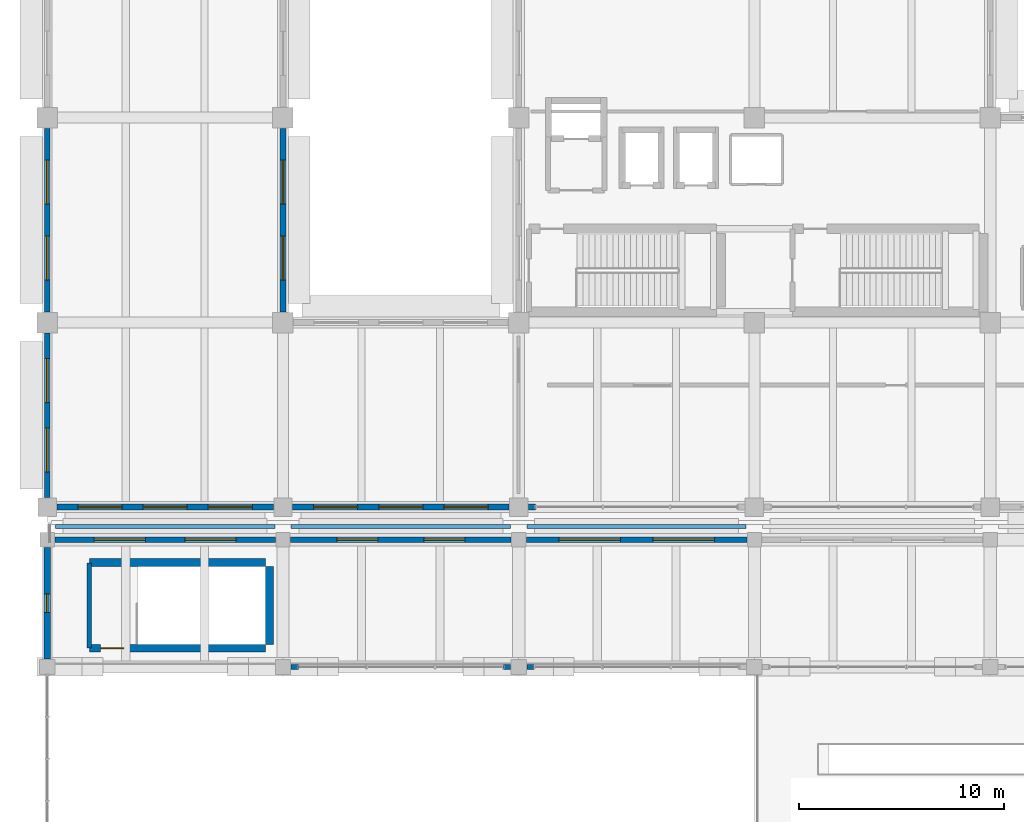
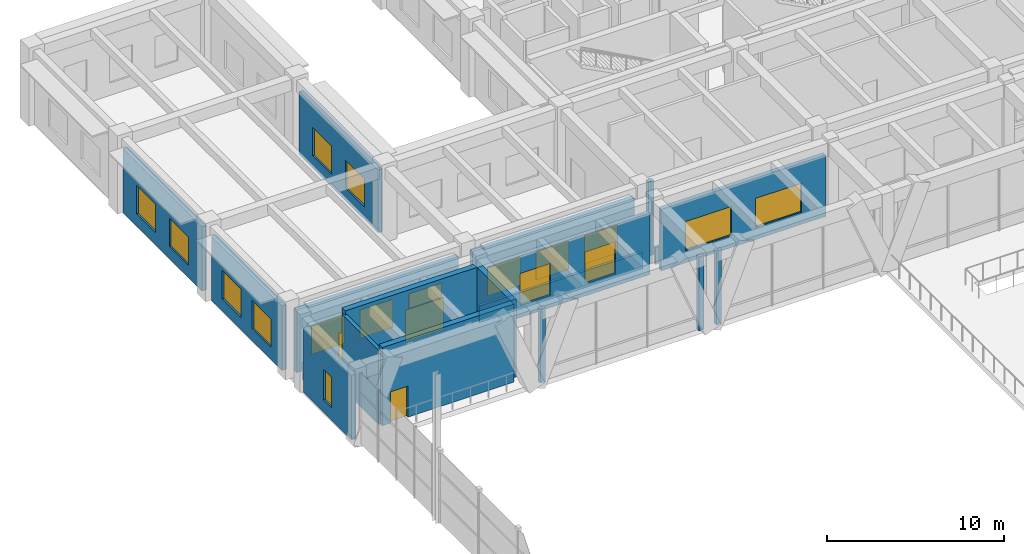
# One storey, part 126 of 148: 20 walls, 19 windows, 1 door, 20 openings.
"""IFC4 building model written with IfcOpenShell, lengths in metres."""

import ifcopenshell
import ifcopenshell.guid

model = None  # the IFC model being written
_history = None  # IfcOwnerHistory: only IFC2X3 demands one
_inside = {}  # id of a spatial element -> (the spatial element, [elements in it])
_under = {}  # id of a project, library or spatial element -> (it, [spatial elements below it])
_declared = {}  # id of a project -> (the project, [libraries it declares])
_typed = {}  # id of a type object -> (the type object, [elements of that type])
_made_of = {}  # id of a material, layer set ... -> (it, [elements and type objects made of it])


def new_model(schema):
    """Start an empty IFC model of exactly this schema.

    Asked for "IFC4X3", IfcOpenShell would pick the latest addendum, in which some entities
    have other attributes; the version numbers below select the first issue.
    IFC2X3 requires an IfcOwnerHistory on every rooted entity: one is made here for all.
    """
    global model, _history
    if schema == "IFC4X3":
        model = ifcopenshell.file(schema_version=(4, 3, 0, 0))
    else:
        model = ifcopenshell.file(schema=schema)
    _inside.clear()
    _under.clear()
    _declared.clear()
    _typed.clear()
    _made_of.clear()
    _history = None
    if model.schema == "IFC2X3":
        org = make("IfcOrganization", Name="unknown")
        user = make(
            "IfcPersonAndOrganization",
            ThePerson=make("IfcPerson", FamilyName="unknown"),
            TheOrganization=org,
        )
        app = make(
            "IfcApplication",
            ApplicationDeveloper=org,
            Version="unknown",
            ApplicationFullName="unknown",
            ApplicationIdentifier="unknown",
        )
        _history = make(
            "IfcOwnerHistory",
            OwningUser=user,
            OwningApplication=app,
            ChangeAction="ADDED",
            CreationDate=0,
        )
    return model


def make(cls, **values):
    """One entity of the class cls with the attributes given. An attribute that is None is left unset."""
    return model.create_entity(
        cls, **{name: value for name, value in values.items() if value is not None}
    )


def rooted(cls, **values):
    """An entity with a GlobalId (a new one), such as an element, a storey or a relation."""
    return make(cls, GlobalId=ifcopenshell.guid.new(), OwnerHistory=_history, **values)


def si_unit(unit_type, name, prefix=None):
    """IfcSIUnit, for example si_unit("LENGTHUNIT", "METRE", prefix="MILLI")."""
    return make("IfcSIUnit", UnitType=unit_type, Prefix=prefix, Name=name)


def assignment(units):
    """IfcUnitAssignment: the units of a project."""
    return None if units is None else make("IfcUnitAssignment", Units=units)


def point(xyz):
    """IfcCartesianPoint."""
    return None if xyz is None else make("IfcCartesianPoint", Coordinates=xyz)


def direction(xyz):
    """IfcDirection."""
    return None if xyz is None else make("IfcDirection", DirectionRatios=xyz)


def frame(location, z_axis=None, x_axis=None):
    """IfcAxis2Placement3D, a coordinate frame: its origin and axes. An axis left out is left unset."""
    return make(
        "IfcAxis2Placement3D",
        Location=point(location),
        Axis=direction(z_axis),
        RefDirection=direction(x_axis),
    )


def frame_2d(location, x_axis=None):
    """IfcAxis2Placement2D, a coordinate frame in the plane: its origin and x axis."""
    return make(
        "IfcAxis2Placement2D", Location=point(location), RefDirection=direction(x_axis)
    )


def origin():
    """The frame at (0, 0, 0) with its axes left unset."""
    return frame((0.0, 0.0, 0.0))


def place(relative_to, where):
    """IfcLocalPlacement: puts the frame where relative to a parent placement (None: the world)."""
    return make(
        "IfcLocalPlacement", PlacementRelTo=relative_to, RelativePlacement=where
    )


def context(
    kind, dimensions, precision=None, world=None, true_north=None, identifier=None
):
    """IfcGeometricRepresentationContext, for example the 3D "Model" context."""
    return make(
        "IfcGeometricRepresentationContext",
        ContextIdentifier=identifier,
        ContextType=kind,
        CoordinateSpaceDimension=dimensions,
        Precision=precision,
        WorldCoordinateSystem=world,
        TrueNorth=true_north,
    )


def subcontext(parent, identifier, kind, view, scale=None):
    """IfcGeometricRepresentationSubContext, for example "Body" below "Model"."""
    return make(
        "IfcGeometricRepresentationSubContext",
        ContextIdentifier=identifier,
        ContextType=kind,
        ParentContext=parent,
        TargetScale=scale,
        TargetView=view,
    )


def project(units=None, contexts=None):
    """IfcProject with its units and contexts."""
    return rooted(
        "IfcProject",
        Name="project",
        RepresentationContexts=contexts,
        UnitsInContext=assignment(units),
    )


def spatial(cls, under=None, at=None, **own):
    """A site, building, storey or space (cls), placed at a placement, below another one or the project."""
    s = rooted(cls, ObjectPlacement=at, **own)
    if under is not None:
        _under.setdefault(under.id(), (under, []))[1].append(s)
    return s


def profile(cls, at=None, kind="AREA", **sizes):
    """A parametric profile (cls). Its sizes go by their IFC names, for example OverallWidth=200.0."""
    return make(cls, ProfileType=kind, Position=at, **sizes)


def rectangle(**sizes):
    """IfcRectangleProfileDef."""
    return profile("IfcRectangleProfileDef", **sizes)


def extrude(swept, where, along, depth):
    """IfcExtrudedAreaSolid: the profile swept, set in the frame where, extruded along a direction by depth."""
    return make(
        "IfcExtrudedAreaSolid",
        SweptArea=swept,
        Position=where,
        ExtrudedDirection=direction(along),
        Depth=depth,
    )


def shape(context_of_items, identifier, shape_type, items):
    """IfcShapeRepresentation: the items that make up one representation, for example the "Body"."""
    return make(
        "IfcShapeRepresentation",
        ContextOfItems=context_of_items,
        RepresentationIdentifier=identifier,
        RepresentationType=shape_type,
        Items=items,
    )


def material(Name=None, Category=None):
    """IfcMaterial."""
    return make("IfcMaterial", Name=Name, Category=Category)


def layer(
    of_material, thickness, ventilated=None, Name=None, Category=None, Priority=None
):
    """IfcMaterialLayer: one layer of a wall or slab, of a material (None: an air gap)."""
    return make(
        "IfcMaterialLayer",
        Material=of_material,
        LayerThickness=thickness,
        IsVentilated=ventilated,
        Name=Name,
        Category=Category,
        Priority=Priority,
    )


def layer_set(layers, Name=None):
    """IfcMaterialLayerSet."""
    return make("IfcMaterialLayerSet", MaterialLayers=layers, LayerSetName=Name)


def made_of(thing, what):
    """Note that an element or type object is made of a material, layer set ...; save() writes the relation."""
    if what is not None:
        _made_of.setdefault(what.id(), (what, []))[1].append(thing)
    return thing


def type_object(cls, material=None, **own):
    """A type object (cls), such as IfcWallType, which elements share."""
    return made_of(rooted(cls, **own), material)


def element(
    cls,
    number,
    at=None,
    inside=None,
    cuts=None,
    type_object=None,
    material=None,
    context=None,
    identifier="Body",
    shape_type=None,
    held_by="IfcProductDefinitionShape",
    body=None,
    shapes=None,
    **own,
):
    """One element of the class cls, such as IfcWall. Its Tag is "e" and its number.

    at: its placement. inside: the storey or other place that contains it. cuts: it is an
    opening in that element (IfcRelVoidsElement). A single representation is given by context,
    identifier, shape_type and body (its items); several are given by shapes. held_by: the class
    of the entity that holds the representations. save() writes the other relations.
    """
    e = rooted(cls, Tag="e%d" % number, ObjectPlacement=at, **own)
    if body is not None:
        shapes = [shape(context, identifier, shape_type, body)]
    if shapes is not None:
        e.Representation = make(held_by, Representations=shapes)
    if inside is not None:
        _inside.setdefault(inside.id(), (inside, []))[1].append(e)
    if cuts is not None:
        rooted(
            "IfcRelVoidsElement", RelatingBuildingElement=cuts, RelatedOpeningElement=e
        )
    if type_object is not None:
        _typed.setdefault(type_object.id(), (type_object, []))[1].append(e)
    return made_of(e, material)


def fill(opening, filler):
    """IfcRelFillsElement: the door or window that sits in an opening."""
    return rooted(
        "IfcRelFillsElement",
        RelatingOpeningElement=opening,
        RelatedBuildingElement=filler,
    )


def aggregate(whole, parts):
    """IfcRelAggregates: a whole, such as a stair, and the parts it consists of."""
    return rooted("IfcRelAggregates", RelatingObject=whole, RelatedObjects=parts)


def save(model, path):
    """Write the relations noted so far, then the file.

    IfcRelAggregates (storeys below a building ...), IfcRelContainedInSpatialStructure (elements
    in a storey), IfcRelDefinesByType, IfcRelAssociatesMaterial and IfcRelDeclares: one each for
    every whole, place, type object, material and project.
    """
    for whole, parts in _under.values():
        aggregate(whole, parts)
    for where, things in _inside.values():
        rooted(
            "IfcRelContainedInSpatialStructure",
            RelatedElements=things,
            RelatingStructure=where,
        )
    for kind, things in _typed.values():
        rooted("IfcRelDefinesByType", RelatedObjects=things, RelatingType=kind)
    for what, things in _made_of.values():
        rooted("IfcRelAssociatesMaterial", RelatedObjects=things, RelatingMaterial=what)
    for by, libraries in _declared.values():
        rooted("IfcRelDeclares", RelatingContext=by, RelatedDefinitions=libraries)
    model.write(path)


model = new_model("IFC4")

# Units and contexts
model_context = context("Model", 3, precision=1e-05, world=origin(), true_north=direction((0.0, 1.0)))
body_context = subcontext(model_context, "Body", "Model", "MODEL_VIEW")
ifc_project = project(units=[si_unit("LENGTHUNIT", "METRE"), si_unit("AREAUNIT", "SQUARE_METRE"), si_unit("VOLUMEUNIT", "CUBIC_METRE"), si_unit("PLANEANGLEUNIT", "RADIAN"), si_unit("MASSUNIT", "GRAM", prefix="KILO")], contexts=[model_context])

# Site, building, storey
site_placement = place(None, origin())
site = spatial("IfcSite", under=ifc_project, at=site_placement, CompositionType="ELEMENT")
building_placement = place(site_placement, origin())
building = spatial("IfcBuilding", under=site, at=building_placement, Name="Ologun Quay Terminus", CompositionType="ELEMENT")
storey_placement = place(building_placement, frame((0.0, 0.0, 8.39990234375)))
storey = spatial("IfcBuildingStorey", under=building, at=storey_placement, Name="L02", CompositionType="ELEMENT", Elevation=8.39990234375)

# Wall, openings, windows
ifc_material_1 = material(Name="Concrete C40/50", Category="concrete")
ifc_layer_1 = layer(ifc_material_1, 0.280029296875)
ifc_layer_set_1 = layer_set([ifc_layer_1], Name="Concrete C40/50")
wall_type_1 = type_object("IfcWallType", Name="Courtyard Wing Spandrel Concrete Wall 280", PredefinedType="SOLIDWALL", material=ifc_layer_set_1)
wall_1_placement = place(storey_placement, frame((0.3701171875, 84.199951171875, 0.0), z_axis=(0.0, 0.0, 1.0), x_axis=(1.0, 0.0, 0.0)))
wall_1 = element("IfcWall", 1, at=wall_1_placement, inside=storey, type_object=wall_type_1, Name="EW-02 Facade Wall WEW-NGW-L02-01", PredefinedType="SOLIDWALL", context=body_context, shape_type="SweptSolid", body=[
    extrude(rectangle(XDim=10.759765625, YDim=0.280029296875, at=frame_2d((5.3798828125, 0.0))), origin(), (0.0, 0.0, 1.0), 4.25),
])
opening_1_placement = place(wall_1_placement, frame((1.919921875, 0.0, 0.85009765625)))
opening_1 = element("IfcOpeningElement", 2, at=opening_1_placement, cuts=wall_1, Name="Opening WN-144", PredefinedType="OPENING", context=body_context, shape_type="SweptSolid", body=[
    extrude(rectangle(XDim=2.5, YDim=2.199951171875, at=frame_2d((1.25, 1.10009765625))), frame((0.0, 0.14990234375, 0.0), z_axis=(0.0, -1.0, 0.0), x_axis=(1.0, 0.0, 0.0)), (0.0, 0.0, 1.0), 0.300048828125),
])
opening_2_placement = place(wall_1_placement, frame((6.340087890625, 0.0, 0.85009765625)))
opening_2 = element("IfcOpeningElement", 3, at=opening_2_placement, cuts=wall_1, Name="Opening WN-145", PredefinedType="OPENING", context=body_context, shape_type="SweptSolid", body=[
    extrude(rectangle(XDim=2.5, YDim=2.199951171875, at=frame_2d((1.25, 1.10009765625))), frame((0.0, 0.14990234375, 0.0), z_axis=(0.0, -1.0, 0.0), x_axis=(1.0, 0.0, 0.0)), (0.0, 0.0, 1.0), 0.300048828125),
])
ifc_material_2 = material(Name="Glass", Category="glass")
window_type_1 = type_object("IfcWindowType", Name="Concourse Waiting Window 2500x2200", PartitioningType="SINGLE_PANEL", PredefinedType="WINDOW", material=ifc_material_2)
window_1_placement = place(opening_1_placement, origin())
window_1 = element("IfcWindow", 4, at=window_1_placement, inside=storey, type_object=window_type_1, Name="W-07 Window WN-144", OverallHeight=2.199951171875, OverallWidth=2.5, PartitioningType="SINGLE_PANEL", PredefinedType="WINDOW", context=body_context, shape_type="SweptSolid", body=[
    extrude(rectangle(XDim=2.5, YDim=2.199951171875, at=frame_2d((1.25, 1.10009765625))), frame((0.0, 0.030029296875, 0.0), z_axis=(0.0, -1.0, 0.0), x_axis=(1.0, 0.0, 0.0)), (0.0, 0.0, 1.0), 0.06005859375),
])
fill(opening_1, window_1)
window_2_placement = place(opening_2_placement, origin())
window_2 = element("IfcWindow", 5, at=window_2_placement, inside=storey, type_object=window_type_1, Name="W-07 Window WN-145", OverallHeight=2.199951171875, OverallWidth=2.5, PartitioningType="SINGLE_PANEL", PredefinedType="WINDOW", context=body_context, shape_type="SweptSolid", body=[
    extrude(rectangle(XDim=2.5, YDim=2.199951171875, at=frame_2d((1.25, 1.10009765625))), frame((0.0, 0.030029296875, 0.0), z_axis=(0.0, -1.0, 0.0), x_axis=(1.0, 0.0, 0.0)), (0.0, 0.0, 1.0), 0.06005859375),
])
fill(opening_2, window_2)

wall_2_placement = place(storey_placement, frame((11.8701171875, 84.199951171875, 0.0), z_axis=(0.0, 0.0, 1.0), x_axis=(1.0, 0.0, 0.0)))
wall_2 = element("IfcWall", 6, at=wall_2_placement, inside=storey, type_object=wall_type_1, Name="EW-02 Facade Wall WEW-NGW-L02-02", PredefinedType="SOLIDWALL", context=body_context, shape_type="SweptSolid", body=[
    extrude(rectangle(XDim=10.759765625, YDim=0.280029296875, at=frame_2d((5.3798828125, 0.0))), origin(), (0.0, 0.0, 1.0), 4.25),
])
opening_3_placement = place(wall_2_placement, frame((2.25341796875, 0.0, 0.85009765625)))
opening_3 = element("IfcOpeningElement", 7, at=opening_3_placement, cuts=wall_2, Name="Opening WN-146", PredefinedType="OPENING", context=body_context, shape_type="SweptSolid", body=[
    extrude(rectangle(XDim=2.0, YDim=2.199951171875, at=frame_2d((1.0, 1.10009765625))), frame((0.0, 0.14990234375, 0.0), z_axis=(0.0, -1.0, 0.0), x_axis=(1.0, 0.0, 0.0)), (0.0, 0.0, 1.0), 0.300048828125),
])
opening_4_placement = place(wall_2_placement, frame((6.506591796875, 0.0, 0.85009765625)))
opening_4 = element("IfcOpeningElement", 8, at=opening_4_placement, cuts=wall_2, Name="Opening WN-147", PredefinedType="OPENING", context=body_context, shape_type="SweptSolid", body=[
    extrude(rectangle(XDim=2.0, YDim=2.199951171875, at=frame_2d((1.0, 1.10009765625))), frame((0.0, 0.14990234375, 0.0), z_axis=(0.0, -1.0, 0.0), x_axis=(1.0, 0.0, 0.0)), (0.0, 0.0, 1.0), 0.300048828125),
])
ifc_material_3 = material(Name="Glass", Category="glass")
window_type_2 = type_object("IfcWindowType", Name="VIP Lounge Harbour Window 2000x2200", PartitioningType="SINGLE_PANEL", PredefinedType="WINDOW", material=ifc_material_3)
window_3_placement = place(opening_3_placement, origin())
window_3 = element("IfcWindow", 9, at=window_3_placement, inside=storey, type_object=window_type_2, Name="W-08 Window WN-146", OverallHeight=2.199951171875, OverallWidth=2.0, PartitioningType="SINGLE_PANEL", PredefinedType="WINDOW", context=body_context, shape_type="SweptSolid", body=[
    extrude(rectangle(XDim=2.0, YDim=2.199951171875, at=frame_2d((1.0, 1.10009765625))), frame((0.0, 0.030029296875, 0.0), z_axis=(0.0, -1.0, 0.0), x_axis=(1.0, 0.0, 0.0)), (0.0, 0.0, 1.0), 0.06005859375),
])
fill(opening_3, window_3)
window_4_placement = place(opening_4_placement, origin())
window_4 = element("IfcWindow", 10, at=window_4_placement, inside=storey, type_object=window_type_2, Name="W-08 Window WN-147", OverallHeight=2.199951171875, OverallWidth=2.0, PartitioningType="SINGLE_PANEL", PredefinedType="WINDOW", context=body_context, shape_type="SweptSolid", body=[
    extrude(rectangle(XDim=2.0, YDim=2.199951171875, at=frame_2d((1.0, 1.10009765625))), frame((0.0, 0.030029296875, 0.0), z_axis=(0.0, -1.0, 0.0), x_axis=(1.0, 0.0, 0.0)), (0.0, 0.0, 1.0), 0.06005859375),
])
fill(opening_4, window_4)

wall_3_placement = place(storey_placement, frame((23.3701171875, 84.199951171875, 0.0), z_axis=(0.0, 0.0, 1.0), x_axis=(1.0, 0.0, 0.0)))
wall_3 = element("IfcWall", 11, at=wall_3_placement, inside=storey, type_object=wall_type_1, Name="EW-02 Facade Wall WEW-NGW-L02-03", PredefinedType="SOLIDWALL", context=body_context, shape_type="SweptSolid", body=[
    extrude(rectangle(XDim=10.759765625, YDim=0.280029296875, at=frame_2d((5.3798828125, 0.0))), origin(), (0.0, 0.0, 1.0), 4.25),
])
opening_5_placement = place(wall_3_placement, frame((1.586669921875, 0.0, 0.85009765625)))
opening_5 = element("IfcOpeningElement", 12, at=opening_5_placement, cuts=wall_3, Name="Opening WN-148", PredefinedType="OPENING", context=body_context, shape_type="SweptSolid", body=[
    extrude(rectangle(XDim=3.0, YDim=2.0, at=frame_2d((1.5, 1.0))), frame((0.0, 0.14990234375, 0.0), z_axis=(0.0, -1.0, 0.0), x_axis=(1.0, 0.0, 0.0)), (0.0, 0.0, 1.0), 0.300048828125),
])
opening_6_placement = place(wall_3_placement, frame((6.17333984375, 0.0, 0.85009765625)))
opening_6 = element("IfcOpeningElement", 13, at=opening_6_placement, cuts=wall_3, Name="Opening WN-149", PredefinedType="OPENING", context=body_context, shape_type="SweptSolid", body=[
    extrude(rectangle(XDim=3.0, YDim=2.0, at=frame_2d((1.5, 1.0))), frame((0.0, 0.14990234375, 0.0), z_axis=(0.0, -1.0, 0.0), x_axis=(1.0, 0.0, 0.0)), (0.0, 0.0, 1.0), 0.300048828125),
])
ifc_material_4 = material(Name="Glass", Category="glass")
window_type_3 = type_object("IfcWindowType", Name="Station Control Observation Window 3000x2000", PartitioningType="SINGLE_PANEL", PredefinedType="WINDOW", material=ifc_material_4)
window_5_placement = place(opening_5_placement, origin())
window_5 = element("IfcWindow", 14, at=window_5_placement, inside=storey, type_object=window_type_3, Name="W-09 Window WN-148", OverallHeight=2.0, OverallWidth=3.0, PartitioningType="SINGLE_PANEL", PredefinedType="WINDOW", context=body_context, shape_type="SweptSolid", body=[
    extrude(rectangle(XDim=3.0, YDim=2.0, at=frame_2d((1.5, 1.0))), frame((0.0, 0.030029296875, 0.0), z_axis=(0.0, -1.0, 0.0), x_axis=(1.0, 0.0, 0.0)), (0.0, 0.0, 1.0), 0.06005859375),
])
fill(opening_5, window_5)
window_6_placement = place(opening_6_placement, origin())
window_6 = element("IfcWindow", 15, at=window_6_placement, inside=storey, type_object=window_type_3, Name="W-09 Window WN-149", OverallHeight=2.0, OverallWidth=3.0, PartitioningType="SINGLE_PANEL", PredefinedType="WINDOW", context=body_context, shape_type="SweptSolid", body=[
    extrude(rectangle(XDim=3.0, YDim=2.0, at=frame_2d((1.5, 1.0))), frame((0.0, 0.030029296875, 0.0), z_axis=(0.0, -1.0, 0.0), x_axis=(1.0, 0.0, 0.0)), (0.0, 0.0, 1.0), 0.06005859375),
])
fill(opening_6, window_6)

wall_4_placement = place(storey_placement, frame((0.469970703125, 85.800048828125, 0.0), z_axis=(0.0, 0.0, 1.0), x_axis=(1.0, 0.0, 0.0)))
wall_4 = element("IfcWall", 16, at=wall_4_placement, inside=storey, type_object=wall_type_1, Name="EW-02 Facade Wall WEW-WW-O-L02-1", PredefinedType="SOLIDWALL", context=body_context, shape_type="SweptSolid", body=[
    extrude(rectangle(XDim=10.56005859375, YDim=0.280029296875, at=frame_2d((5.280029296875, 0.0))), origin(), (0.0, 0.0, 1.0), 4.35009765625),
])
opening_7_placement = place(wall_4_placement, frame((1.027587890625, 0.0, 0.85009765625)))
opening_7 = element("IfcOpeningElement", 17, at=opening_7_placement, cuts=wall_4, Name="Opening WN-241", PredefinedType="OPENING", context=body_context, shape_type="SweptSolid", body=[
    extrude(rectangle(XDim=2.14990234375, YDim=1.949951171875, at=frame_2d((1.074951171875, 0.97509765625))), frame((0.0, 0.14990234375, 0.0), z_axis=(0.0, -1.0, 0.0), x_axis=(1.0, 0.0, 0.0)), (0.0, 0.0, 1.0), 0.300048828125),
])
opening_8_placement = place(wall_4_placement, frame((4.205078125, 0.0, 0.85009765625)))
opening_8 = element("IfcOpeningElement", 18, at=opening_8_placement, cuts=wall_4, Name="Opening WN-242", PredefinedType="OPENING", context=body_context, shape_type="SweptSolid", body=[
    extrude(rectangle(XDim=2.14990234375, YDim=1.949951171875, at=frame_2d((1.074951171875, 0.97509765625))), frame((0.0, 0.14990234375, 0.0), z_axis=(0.0, -1.0, 0.0), x_axis=(1.0, 0.0, 0.0)), (0.0, 0.0, 1.0), 0.300048828125),
])
opening_9_placement = place(wall_4_placement, frame((7.382568359375, 0.0, 0.85009765625)))
opening_9 = element("IfcOpeningElement", 19, at=opening_9_placement, cuts=wall_4, Name="Opening WN-243", PredefinedType="OPENING", context=body_context, shape_type="SweptSolid", body=[
    extrude(rectangle(XDim=2.14990234375, YDim=1.949951171875, at=frame_2d((1.074951171875, 0.97509765625))), frame((0.0, 0.14990234375, 0.0), z_axis=(0.0, -1.0, 0.0), x_axis=(1.0, 0.0, 0.0)), (0.0, 0.0, 1.0), 0.300048828125),
])
ifc_material_5 = material(Name="Glass", Category="glass")
window_type_4 = type_object("IfcWindowType", Name="Courtyard Loggia Window 2150x1950", PartitioningType="SINGLE_PANEL", PredefinedType="WINDOW", material=ifc_material_5)
window_7_placement = place(opening_7_placement, origin())
window_7 = element("IfcWindow", 20, at=window_7_placement, inside=storey, type_object=window_type_4, Name="W-37 Window WN-241", OverallHeight=1.949951171875, OverallWidth=2.14990234375, PartitioningType="SINGLE_PANEL", PredefinedType="WINDOW", context=body_context, shape_type="SweptSolid", body=[
    extrude(rectangle(XDim=2.14990234375, YDim=1.949951171875, at=frame_2d((1.074951171875, 0.97509765625))), frame((0.0, 0.030029296875, 0.0), z_axis=(0.0, -1.0, 0.0), x_axis=(1.0, 0.0, 0.0)), (0.0, 0.0, 1.0), 0.06005859375),
])
fill(opening_7, window_7)
window_8_placement = place(opening_8_placement, origin())
window_8 = element("IfcWindow", 21, at=window_8_placement, inside=storey, type_object=window_type_4, Name="W-37 Window WN-242", OverallHeight=1.949951171875, OverallWidth=2.14990234375, PartitioningType="SINGLE_PANEL", PredefinedType="WINDOW", context=body_context, shape_type="SweptSolid", body=[
    extrude(rectangle(XDim=2.14990234375, YDim=1.949951171875, at=frame_2d((1.074951171875, 0.97509765625))), frame((0.0, 0.030029296875, 0.0), z_axis=(0.0, -1.0, 0.0), x_axis=(1.0, 0.0, 0.0)), (0.0, 0.0, 1.0), 0.06005859375),
])
fill(opening_8, window_8)
window_9_placement = place(opening_9_placement, origin())
window_9 = element("IfcWindow", 22, at=window_9_placement, inside=storey, type_object=window_type_4, Name="W-37 Window WN-243", OverallHeight=1.949951171875, OverallWidth=2.14990234375, PartitioningType="SINGLE_PANEL", PredefinedType="WINDOW", context=body_context, shape_type="SweptSolid", body=[
    extrude(rectangle(XDim=2.14990234375, YDim=1.949951171875, at=frame_2d((1.074951171875, 0.97509765625))), frame((0.0, 0.030029296875, 0.0), z_axis=(0.0, -1.0, 0.0), x_axis=(1.0, 0.0, 0.0)), (0.0, 0.0, 1.0), 0.06005859375),
])
fill(opening_9, window_9)

wall_5_placement = place(storey_placement, frame((11.969970703125, 85.800048828125, 0.0), z_axis=(0.0, 0.0, 1.0), x_axis=(1.0, 0.0, 0.0)))
wall_5 = element("IfcWall", 23, at=wall_5_placement, inside=storey, type_object=wall_type_1, Name="EW-02 Facade Wall WEW-WW-O-L02-2", PredefinedType="SOLIDWALL", context=body_context, shape_type="SweptSolid", body=[
    extrude(rectangle(XDim=10.56005859375, YDim=0.280029296875, at=frame_2d((5.280029296875, 0.0))), origin(), (0.0, 0.0, 1.0), 4.35009765625),
])
opening_10_placement = place(wall_5_placement, frame((1.027587890625, 0.0, 0.85009765625)))
opening_10 = element("IfcOpeningElement", 24, at=opening_10_placement, cuts=wall_5, Name="Opening WN-244", PredefinedType="OPENING", context=body_context, shape_type="SweptSolid", body=[
    extrude(rectangle(XDim=2.14990234375, YDim=1.949951171875, at=frame_2d((1.074951171875, 0.97509765625))), frame((0.0, 0.14990234375, 0.0), z_axis=(0.0, -1.0, 0.0), x_axis=(1.0, 0.0, 0.0)), (0.0, 0.0, 1.0), 0.300048828125),
])
opening_11_placement = place(wall_5_placement, frame((4.205078125, 0.0, 0.85009765625)))
opening_11 = element("IfcOpeningElement", 25, at=opening_11_placement, cuts=wall_5, Name="Opening WN-245", PredefinedType="OPENING", context=body_context, shape_type="SweptSolid", body=[
    extrude(rectangle(XDim=2.14990234375, YDim=1.949951171875, at=frame_2d((1.074951171875, 0.97509765625))), frame((0.0, 0.14990234375, 0.0), z_axis=(0.0, -1.0, 0.0), x_axis=(1.0, 0.0, 0.0)), (0.0, 0.0, 1.0), 0.300048828125),
])
opening_12_placement = place(wall_5_placement, frame((7.382568359375, 0.0, 0.85009765625)))
opening_12 = element("IfcOpeningElement", 26, at=opening_12_placement, cuts=wall_5, Name="Opening WN-246", PredefinedType="OPENING", context=body_context, shape_type="SweptSolid", body=[
    extrude(rectangle(XDim=2.14990234375, YDim=1.949951171875, at=frame_2d((1.074951171875, 0.97509765625))), frame((0.0, 0.14990234375, 0.0), z_axis=(0.0, -1.0, 0.0), x_axis=(1.0, 0.0, 0.0)), (0.0, 0.0, 1.0), 0.300048828125),
])
window_10_placement = place(opening_10_placement, origin())
window_10 = element("IfcWindow", 27, at=window_10_placement, inside=storey, type_object=window_type_4, Name="W-37 Window WN-244", OverallHeight=1.949951171875, OverallWidth=2.14990234375, PartitioningType="SINGLE_PANEL", PredefinedType="WINDOW", context=body_context, shape_type="SweptSolid", body=[
    extrude(rectangle(XDim=2.14990234375, YDim=1.949951171875, at=frame_2d((1.074951171875, 0.97509765625))), frame((0.0, 0.030029296875, 0.0), z_axis=(0.0, -1.0, 0.0), x_axis=(1.0, 0.0, 0.0)), (0.0, 0.0, 1.0), 0.06005859375),
])
fill(opening_10, window_10)
window_11_placement = place(opening_11_placement, origin())
window_11 = element("IfcWindow", 28, at=window_11_placement, inside=storey, type_object=window_type_4, Name="W-37 Window WN-245", OverallHeight=1.949951171875, OverallWidth=2.14990234375, PartitioningType="SINGLE_PANEL", PredefinedType="WINDOW", context=body_context, shape_type="SweptSolid", body=[
    extrude(rectangle(XDim=2.14990234375, YDim=1.949951171875, at=frame_2d((1.074951171875, 0.97509765625))), frame((0.0, 0.030029296875, 0.0), z_axis=(0.0, -1.0, 0.0), x_axis=(1.0, 0.0, 0.0)), (0.0, 0.0, 1.0), 0.06005859375),
])
fill(opening_11, window_11)
window_12_placement = place(opening_12_placement, origin())
window_12 = element("IfcWindow", 29, at=window_12_placement, inside=storey, type_object=window_type_4, Name="W-37 Window WN-246", OverallHeight=1.949951171875, OverallWidth=2.14990234375, PartitioningType="SINGLE_PANEL", PredefinedType="WINDOW", context=body_context, shape_type="SweptSolid", body=[
    extrude(rectangle(XDim=2.14990234375, YDim=1.949951171875, at=frame_2d((1.074951171875, 0.97509765625))), frame((0.0, 0.030029296875, 0.0), z_axis=(0.0, -1.0, 0.0), x_axis=(1.0, 0.0, 0.0)), (0.0, 0.0, 1.0), 0.06005859375),
])
fill(opening_12, window_12)

# Wall
wall_6_placement = place(storey_placement, frame((23.469970703125, 85.800048828125, 0.0), z_axis=(0.0, 0.0, 1.0), x_axis=(1.0, 0.0, 0.0)))
element("IfcWall", 30, at=wall_6_placement, inside=storey, type_object=wall_type_1, Name="Curtain Wall Jamb Pier CW-L02-103-J1", PredefinedType="SOLIDWALL", context=body_context, shape_type="SweptSolid", body=[
    extrude(rectangle(XDim=0.35009765625, YDim=0.280029296875, at=frame_2d((0.175048828125, 0.0))), origin(), (0.0, 0.0, 1.0), 5.130126953125),
])

# Wall, openings, windows
wall_7_placement = place(storey_placement, frame((11.5, 95.320068359375, 0.0), z_axis=(0.0, 0.0, 1.0), x_axis=(0.0, 1.0, 0.0)))
wall_7 = element("IfcWall", 31, at=wall_7_placement, inside=storey, type_object=wall_type_1, Name="EW-02 Facade Wall WEW-WW-O-L02-19", PredefinedType="SOLIDWALL", context=body_context, shape_type="SweptSolid", body=[
    extrude(rectangle(XDim=8.9599609375, YDim=0.280029296875, at=frame_2d((4.47998046875, 0.0))), origin(), (0.0, 0.0, 1.0), 4.35009765625),
])
opening_13_placement = place(wall_7_placement, frame((1.55322265625, 0.0, 0.85009765625)))
opening_13 = element("IfcOpeningElement", 32, at=opening_13_placement, cuts=wall_7, Name="Opening WN-273", PredefinedType="OPENING", context=body_context, shape_type="SweptSolid", body=[
    extrude(rectangle(XDim=2.14990234375, YDim=1.949951171875, at=frame_2d((1.074951171875, 0.97509765625))), frame((0.0, 0.14990234375, 0.0), z_axis=(0.0, -1.0, 0.0), x_axis=(1.0, 0.0, 0.0)), (0.0, 0.0, 1.0), 0.300048828125),
])
opening_14_placement = place(wall_7_placement, frame((5.256591796875, 0.0, 0.85009765625)))
opening_14 = element("IfcOpeningElement", 33, at=opening_14_placement, cuts=wall_7, Name="Opening WN-274", PredefinedType="OPENING", context=body_context, shape_type="SweptSolid", body=[
    extrude(rectangle(XDim=2.14990234375, YDim=1.949951171875, at=frame_2d((1.074951171875, 0.97509765625))), frame((0.0, 0.14990234375, 0.0), z_axis=(0.0, -1.0, 0.0), x_axis=(1.0, 0.0, 0.0)), (0.0, 0.0, 1.0), 0.300048828125),
])
window_13_placement = place(opening_13_placement, origin())
window_13 = element("IfcWindow", 34, at=window_13_placement, inside=storey, type_object=window_type_4, Name="W-37 Window WN-273", OverallHeight=1.949951171875, OverallWidth=2.14990234375, PartitioningType="SINGLE_PANEL", PredefinedType="WINDOW", context=body_context, shape_type="SweptSolid", body=[
    extrude(rectangle(XDim=2.14990234375, YDim=1.949951171875, at=frame_2d((1.074951171875, 0.97509765625))), frame((0.0, 0.030029296875, 0.0), z_axis=(0.0, -1.0, 0.0), x_axis=(1.0, 0.0, 0.0)), (0.0, 0.0, 1.0), 0.06005859375),
])
fill(opening_13, window_13)
window_14_placement = place(opening_14_placement, origin())
window_14 = element("IfcWindow", 35, at=window_14_placement, inside=storey, type_object=window_type_4, Name="W-37 Window WN-274", OverallHeight=1.949951171875, OverallWidth=2.14990234375, PartitioningType="SINGLE_PANEL", PredefinedType="WINDOW", context=body_context, shape_type="SweptSolid", body=[
    extrude(rectangle(XDim=2.14990234375, YDim=1.949951171875, at=frame_2d((1.074951171875, 0.97509765625))), frame((0.0, 0.030029296875, 0.0), z_axis=(0.0, -1.0, 0.0), x_axis=(1.0, 0.0, 0.0)), (0.0, 0.0, 1.0), 0.06005859375),
])
fill(opening_14, window_14)

wall_8_placement = place(storey_placement, frame((0.0, 86.27001953125, 0.0), z_axis=(0.0, 0.0, 1.0), x_axis=(0.0, 1.0, 0.0)))
wall_8 = element("IfcWall", 36, at=wall_8_placement, inside=storey, type_object=wall_type_1, Name="EW-02 Facade Wall WEW-WW-O-L02-22", PredefinedType="SOLIDWALL", context=body_context, shape_type="SweptSolid", body=[
    extrude(rectangle(XDim=8.010009765625, YDim=0.280029296875, at=frame_2d((4.0048828125, 0.0))), origin(), (0.0, 0.0, 1.0), 4.4501953125),
])
opening_15_placement = place(wall_8_placement, frame((1.23681640625, 0.0, 0.85009765625)))
opening_15 = element("IfcOpeningElement", 37, at=opening_15_placement, cuts=wall_8, Name="Opening WN-280", PredefinedType="OPENING", context=body_context, shape_type="SweptSolid", body=[
    extrude(rectangle(XDim=2.14990234375, YDim=1.949951171875, at=frame_2d((1.074951171875, 0.97509765625))), frame((0.0, 0.14990234375, 0.0), z_axis=(0.0, -1.0, 0.0), x_axis=(1.0, 0.0, 0.0)), (0.0, 0.0, 1.0), 0.300048828125),
])
opening_16_placement = place(wall_8_placement, frame((4.623291015625, 0.0, 0.85009765625)))
opening_16 = element("IfcOpeningElement", 38, at=opening_16_placement, cuts=wall_8, Name="Opening WN-281", PredefinedType="OPENING", context=body_context, shape_type="SweptSolid", body=[
    extrude(rectangle(XDim=2.14990234375, YDim=1.949951171875, at=frame_2d((1.074951171875, 0.97509765625))), frame((0.0, 0.14990234375, 0.0), z_axis=(0.0, -1.0, 0.0), x_axis=(1.0, 0.0, 0.0)), (0.0, 0.0, 1.0), 0.300048828125),
])
window_15_placement = place(opening_15_placement, origin())
window_15 = element("IfcWindow", 39, at=window_15_placement, inside=storey, type_object=window_type_4, Name="W-37 Window WN-280", OverallHeight=1.949951171875, OverallWidth=2.14990234375, PartitioningType="SINGLE_PANEL", PredefinedType="WINDOW", context=body_context, shape_type="SweptSolid", body=[
    extrude(rectangle(XDim=2.14990234375, YDim=1.949951171875, at=frame_2d((1.074951171875, 0.97509765625))), frame((0.0, 0.030029296875, 0.0), z_axis=(0.0, -1.0, 0.0), x_axis=(1.0, 0.0, 0.0)), (0.0, 0.0, 1.0), 0.06005859375),
])
fill(opening_15, window_15)
window_16_placement = place(opening_16_placement, origin())
window_16 = element("IfcWindow", 40, at=window_16_placement, inside=storey, type_object=window_type_4, Name="W-37 Window WN-281", OverallHeight=1.949951171875, OverallWidth=2.14990234375, PartitioningType="SINGLE_PANEL", PredefinedType="WINDOW", context=body_context, shape_type="SweptSolid", body=[
    extrude(rectangle(XDim=2.14990234375, YDim=1.949951171875, at=frame_2d((1.074951171875, 0.97509765625))), frame((0.0, 0.030029296875, 0.0), z_axis=(0.0, -1.0, 0.0), x_axis=(1.0, 0.0, 0.0)), (0.0, 0.0, 1.0), 0.06005859375),
])
fill(opening_16, window_16)

wall_9_placement = place(storey_placement, frame((0.0, 95.320068359375, 0.0), z_axis=(0.0, 0.0, 1.0), x_axis=(0.0, 1.0, 0.0)))
wall_9 = element("IfcWall", 41, at=wall_9_placement, inside=storey, type_object=wall_type_1, Name="EW-02 Facade Wall WEW-WW-O-L02-23", PredefinedType="SOLIDWALL", context=body_context, shape_type="SweptSolid", body=[
    extrude(rectangle(XDim=8.9599609375, YDim=0.280029296875, at=frame_2d((4.47998046875, 0.0))), origin(), (0.0, 0.0, 1.0), 4.4501953125),
])
opening_17_placement = place(wall_9_placement, frame((1.55322265625, 0.0, 0.85009765625)))
opening_17 = element("IfcOpeningElement", 42, at=opening_17_placement, cuts=wall_9, Name="Opening WN-282", PredefinedType="OPENING", context=body_context, shape_type="SweptSolid", body=[
    extrude(rectangle(XDim=2.14990234375, YDim=1.949951171875, at=frame_2d((1.074951171875, 0.97509765625))), frame((0.0, 0.14990234375, 0.0), z_axis=(0.0, -1.0, 0.0), x_axis=(1.0, 0.0, 0.0)), (0.0, 0.0, 1.0), 0.300048828125),
])
opening_18_placement = place(wall_9_placement, frame((5.256591796875, 0.0, 0.85009765625)))
opening_18 = element("IfcOpeningElement", 43, at=opening_18_placement, cuts=wall_9, Name="Opening WN-283", PredefinedType="OPENING", context=body_context, shape_type="SweptSolid", body=[
    extrude(rectangle(XDim=2.14990234375, YDim=1.949951171875, at=frame_2d((1.074951171875, 0.97509765625))), frame((0.0, 0.14990234375, 0.0), z_axis=(0.0, -1.0, 0.0), x_axis=(1.0, 0.0, 0.0)), (0.0, 0.0, 1.0), 0.300048828125),
])
window_17_placement = place(opening_17_placement, origin())
window_17 = element("IfcWindow", 44, at=window_17_placement, inside=storey, type_object=window_type_4, Name="W-37 Window WN-282", OverallHeight=1.949951171875, OverallWidth=2.14990234375, PartitioningType="SINGLE_PANEL", PredefinedType="WINDOW", context=body_context, shape_type="SweptSolid", body=[
    extrude(rectangle(XDim=2.14990234375, YDim=1.949951171875, at=frame_2d((1.074951171875, 0.97509765625))), frame((0.0, 0.030029296875, 0.0), z_axis=(0.0, -1.0, 0.0), x_axis=(1.0, 0.0, 0.0)), (0.0, 0.0, 1.0), 0.06005859375),
])
fill(opening_17, window_17)
window_18_placement = place(opening_18_placement, origin())
window_18 = element("IfcWindow", 45, at=window_18_placement, inside=storey, type_object=window_type_4, Name="W-37 Window WN-283", OverallHeight=1.949951171875, OverallWidth=2.14990234375, PartitioningType="SINGLE_PANEL", PredefinedType="WINDOW", context=body_context, shape_type="SweptSolid", body=[
    extrude(rectangle(XDim=2.14990234375, YDim=1.949951171875, at=frame_2d((1.074951171875, 0.97509765625))), frame((0.0, 0.030029296875, 0.0), z_axis=(0.0, -1.0, 0.0), x_axis=(1.0, 0.0, 0.0)), (0.0, 0.0, 1.0), 0.06005859375),
])
fill(opening_18, window_18)

# Walls
ifc_material_6 = material(Name="Concrete C40/50", Category="concrete")
ifc_layer_2 = layer(ifc_material_6, 0.239990234375)
ifc_layer_set_2 = layer_set([ifc_layer_2], Name="Concrete C40/50")
wall_type_2 = type_object("IfcWallType", Name="Fire Compartment Blockwork Wall 240", PredefinedType="SOLIDWALL", material=ifc_layer_set_2)
wall_10_placement = place(storey_placement, frame((2.050048828125, 78.919921875, 0.0), z_axis=(0.0, 0.0, 1.0), x_axis=(0.0, 1.0, 0.0)))
element("IfcWall", 46, at=wall_10_placement, inside=storey, type_object=wall_type_2, Name="PW-01 Partition ST-NG1-W", PredefinedType="SOLIDWALL", context=body_context, shape_type="SweptSolid", body=[
    extrude(rectangle(XDim=4.16015625, YDim=0.239990234375, at=frame_2d((2.080078125, 0.0))), origin(), (0.0, 0.0, 1.0), 5.1201171875),
])
ifc_material_7 = material(Name="Concrete C40/50", Category="concrete")
ifc_layer_3 = layer(ifc_material_7, 0.18994140625)
ifc_layer_set_3 = layer_set([ifc_layer_3], Name="Concrete C40/50")
wall_type_3 = type_object("IfcWallType", Name="Movement Joint Weathering Upstand 190", PredefinedType="PARAPET", material=ifc_layer_set_3)
for number, where, z_axis, x_axis, name in (
    (47, (0.39990234375, 84.860107421875, 0.0), (0.0, 0.0, 1.0), (1.0, 0.0, 0.0), "EW-07 Movement Joint Upstand L02-1"),
    (48, (11.89990234375, 84.860107421875, 0.0), (0.0, 0.0, 1.0), (1.0, 0.0, 0.0), "EW-07 Movement Joint Upstand L02-2"),
    (49, (23.39990234375, 84.860107421875, 0.0), (0.0, 0.0, 1.0), (1.0, 0.0, 0.0), "EW-07 Movement Joint Upstand L02-3"),
):
    element("IfcWall", number, at=place(storey_placement, frame(where, z_axis=z_axis, x_axis=x_axis)), inside=storey, type_object=wall_type_3, Name=name, PredefinedType="PARAPET", context=body_context, shape_type="SweptSolid", body=[
        extrude(rectangle(XDim=10.7001953125, YDim=0.18994140625, at=frame_2d((5.35009765625, 0.0))), origin(), (0.0, 0.0, 1.0), 1.150146484375),
    ])

# Wall, opening, door
ifc_material_8 = material(Name="Concrete C40/50", Category="concrete")
ifc_layer_4 = layer(ifc_material_8, 0.3798828125)
ifc_layer_set_4 = layer_set([ifc_layer_4], Name="Concrete C40/50")
wall_type_4 = type_object("IfcWallType", Name="Platform Spine Shear Wall 380", PredefinedType="SHEAR", material=ifc_layer_set_4)
wall_11_placement = place(storey_placement, frame((2.050048828125, 78.909912109375, 0.0), z_axis=(0.0, 0.0, 1.0), x_axis=(1.0, 0.0, 0.0)))
wall_11 = element("IfcWall", 50, at=wall_11_placement, inside=storey, type_object=wall_type_4, Name="Station Core 5 S Shear Wall L02", PredefinedType="SHEAR", context=body_context, shape_type="SweptSolid", body=[
    extrude(rectangle(XDim=8.599853515625, YDim=0.3798828125, at=frame_2d((4.2998046875, 0.0))), origin(), (0.0, 0.0, 1.0), 5.400146484375),
])
opening_19_placement = place(wall_11_placement, frame((0.550048828125, 0.0, 0.0)))
opening_19 = element("IfcOpeningElement", 51, at=opening_19_placement, cuts=wall_11, Name="Opening ID-277", PredefinedType="OPENING", context=body_context, shape_type="SweptSolid", body=[
    extrude(rectangle(XDim=1.1298828125, YDim=2.14990234375, at=frame_2d((0.56494140625, 1.074951171875))), frame((0.0, 0.199951171875, 0.0), z_axis=(0.0, -1.0, 0.0), x_axis=(1.0, 0.0, 0.0)), (0.0, 0.0, 1.0), 0.39990234375),
])
ifc_material_9 = material(Name="Steel S355", Category="steel")
door_type = type_object("IfcDoorType", Name="Stairwell Fire Escape Door 1130x2150", OperationType="SINGLE_SWING_LEFT", PredefinedType="DOOR", material=ifc_material_9)
door_placement = place(opening_19_placement, origin())
door = element("IfcDoor", 52, at=door_placement, inside=storey, type_object=door_type, Name="FD-01 Door ID-277", OperationType="SINGLE_SWING_LEFT", OverallHeight=2.14990234375, OverallWidth=1.1298828125, PredefinedType="DOOR", context=body_context, shape_type="SweptSolid", body=[
    extrude(rectangle(XDim=1.1298828125, YDim=2.14990234375, at=frame_2d((0.56494140625, 1.074951171875))), frame((0.0, 0.02490234375, 0.0), z_axis=(0.0, -1.0, 0.0), x_axis=(1.0, 0.0, 0.0)), (0.0, 0.0, 1.0), 0.050048828125),
])
fill(opening_19, door)

# Walls
wall_12_placement = place(storey_placement, frame((2.050048828125, 83.090087890625, 0.0), z_axis=(0.0, 0.0, 1.0), x_axis=(1.0, 0.0, 0.0)))
element("IfcWall", 53, at=wall_12_placement, inside=storey, type_object=wall_type_4, Name="Station Core 5 N Shear Wall L02", PredefinedType="SHEAR", context=body_context, shape_type="SweptSolid", body=[
    extrude(rectangle(XDim=8.599853515625, YDim=0.3798828125, at=frame_2d((4.2998046875, 0.0))), origin(), (0.0, 0.0, 1.0), 5.400146484375),
])
wall_13_placement = place(storey_placement, frame((10.840087890625, 79.10009765625, 0.0), z_axis=(0.0, 0.0, 1.0), x_axis=(0.0, 1.0, 0.0)))
element("IfcWall", 54, at=wall_13_placement, inside=storey, type_object=wall_type_4, Name="Station Core 5 E Shear Wall L02", PredefinedType="SHEAR", context=body_context, shape_type="SweptSolid", body=[
    extrude(rectangle(XDim=3.7998046875, YDim=0.3798828125, at=frame_2d((1.89990234375, 0.0))), origin(), (0.0, 0.0, 1.0), 5.400146484375),
])

# Wall, opening, window
ifc_material_10 = material(Name="Concrete C40/50", Category="concrete")
ifc_layer_5 = layer(ifc_material_10, 0.320068359375)
ifc_layer_set_5 = layer_set([ifc_layer_5], Name="Concrete C40/50")
wall_type_5 = type_object("IfcWallType", Name="Podium Sculpted Concrete Facade Wall 320", PredefinedType="SOLIDWALL", material=ifc_layer_set_5)
wall_14_placement = place(storey_placement, frame((0.0, 78.39501953125, 0.0), z_axis=(0.0, 0.0, 1.0), x_axis=(0.0, 1.0, 0.0)))
wall_14 = element("IfcWall", 55, at=wall_14_placement, inside=storey, type_object=wall_type_5, Name="EW-01 Facade Wall WEW-NGAL-L02-W", PredefinedType="SOLIDWALL", context=body_context, shape_type="SweptSolid", body=[
    extrude(rectangle(XDim=5.43505859375, YDim=0.320068359375, at=frame_2d((2.717529296875, 0.0))), origin(), (0.0, 0.0, 1.0), 4.4501953125),
])
opening_20_placement = place(wall_14_placement, frame((2.267578125, 0.0, 0.85009765625)))
opening_20 = element("IfcOpeningElement", 56, at=opening_20_placement, cuts=wall_14, Name="Opening WN-106", PredefinedType="OPENING", context=body_context, shape_type="SweptSolid", body=[
    extrude(rectangle(XDim=0.89990234375, YDim=2.10009765625, at=frame_2d((0.449951171875, 1.050048828125))), frame((0.0, 0.169921875, 0.0), z_axis=(0.0, -1.0, 0.0), x_axis=(1.0, 0.0, 0.0)), (0.0, 0.0, 1.0), 0.340087890625),
])
ifc_material_11 = material(Name="Glass", Category="glass")
window_type_5 = type_object("IfcWindowType", Name="Stairwell Daylight Slot Window 900x2100", PartitioningType="SINGLE_PANEL", PredefinedType="WINDOW", material=ifc_material_11)
window_19_placement = place(opening_20_placement, origin())
window_19 = element("IfcWindow", 57, at=window_19_placement, inside=storey, type_object=window_type_5, Name="W-29 Window WN-106", OverallHeight=2.10009765625, OverallWidth=0.89990234375, PartitioningType="SINGLE_PANEL", PredefinedType="WINDOW", context=body_context, shape_type="SweptSolid", body=[
    extrude(rectangle(XDim=0.89990234375, YDim=2.10009765625, at=frame_2d((0.449951171875, 1.050048828125))), frame((0.0, 0.030029296875, 0.0), z_axis=(0.0, -1.0, 0.0), x_axis=(1.0, 0.0, 0.0)), (0.0, 0.0, 1.0), 0.06005859375),
])
fill(opening_20, window_19)

# Walls
ifc_material_12 = material(Name="Concrete C40/50", Category="concrete")
ifc_layer_6 = layer(ifc_material_12, 0.260009765625)
ifc_layer_set_6 = layer_set([ifc_layer_6], Name="Concrete C40/50")
wall_type_6 = type_object("IfcWallType", Name="Train Shed Clerestory Upstand Wall 260", PredefinedType="SOLIDWALL", material=ifc_layer_set_6)
for number, where, z_axis, x_axis, name in (
    (58, (11.89501953125, 78.0, 0.0), (0.0, 0.0, 1.0), (1.0, 0.0, 0.0), "Curtain Wall Jamb Pier CW-L02-047-J1"),
    (59, (22.2548828125, 78.0, 0.0), (0.0, 0.0, 1.0), (1.0, 0.0, 0.0), "Curtain Wall Jamb Pier CW-L02-047-J2"),
    (60, (23.39501953125, 78.0, 0.0), (0.0, 0.0, 1.0), (1.0, 0.0, 0.0), "Curtain Wall Jamb Pier CW-L02-049-J1"),
):
    element("IfcWall", number, at=place(storey_placement, frame(where, z_axis=z_axis, x_axis=x_axis)), inside=storey, type_object=wall_type_6, Name=name, PredefinedType="SOLIDWALL", context=body_context, shape_type="SweptSolid", body=[
        extrude(rectangle(XDim=0.35009765625, YDim=0.260009765625, at=frame_2d((0.175048828125, 0.0))), origin(), (0.0, 0.0, 1.0), 5.10009765625),
    ])

save(model, "model.ifc")
